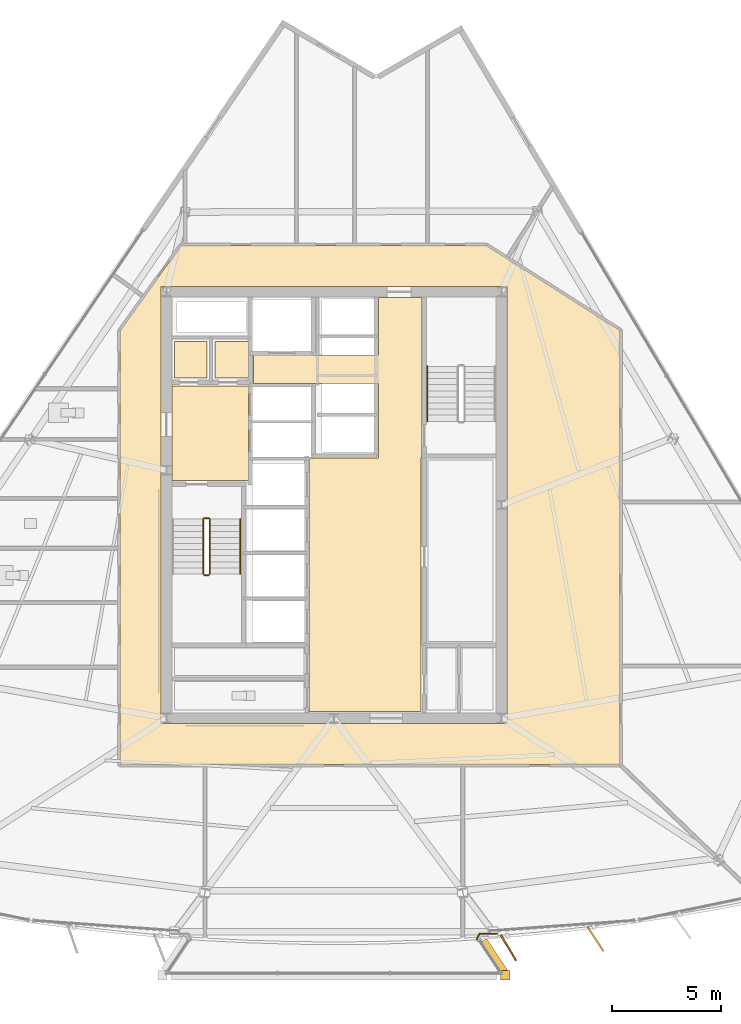
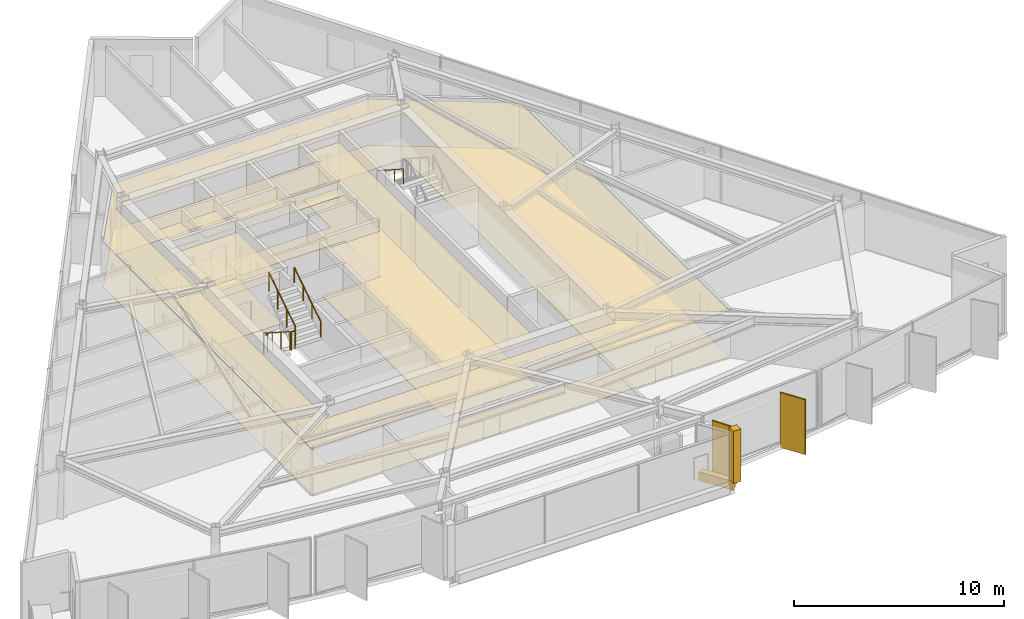
# One storey, part 13 of 16: 12 coverings, 7 railings, 2 shading devices.
"""IFC4 building model written with IfcOpenShell, lengths in metres."""

from ifc_helpers import new_model, si_unit, direction, frame, origin, origin_2d, place, context, subcontext, project, spatial, polyline, rectangle, circle, outline, extrude, material, layer, layer_set, type_object, element, save


model = new_model("IFC4")

# Units and contexts
model_context = context("Model", 3, precision=1e-05, world=origin(), true_north=direction((0.0, 1.0)))
body_context = subcontext(model_context, "Body", "Model", "MODEL_VIEW")
ifc_project = project(units=[si_unit("LENGTHUNIT", "METRE"), si_unit("AREAUNIT", "SQUARE_METRE"), si_unit("VOLUMEUNIT", "CUBIC_METRE"), si_unit("PLANEANGLEUNIT", "RADIAN"), si_unit("MASSUNIT", "GRAM", prefix="KILO")], contexts=[model_context])

# Site, building, storey
site_placement = place(None, origin())
site = spatial("IfcSite", under=ifc_project, at=site_placement, CompositionType="ELEMENT")
building_placement = place(site_placement, origin())
building = spatial("IfcBuilding", under=site, at=building_placement, Name="Savorim Split Tower", CompositionType="ELEMENT")
storey_placement = place(building_placement, frame((0.0, 0.0, 160.199951171875)))
storey = spatial("IfcBuildingStorey", under=building, at=storey_placement, Name="L42", CompositionType="ELEMENT", Elevation=160.199951171875)

# Coverings
ifc_material_1 = material(Name="Mineral Fibre Acoustic Ceiling")
ifc_layer_1 = layer(ifc_material_1, 0.02490234375)
ifc_layer_set_1 = layer_set([ifc_layer_1], Name="COV-CEIL-25")
covering_type_1 = type_object("IfcCoveringType", Name="COV-CEIL-25", PredefinedType="CEILING", material=ifc_layer_set_1)
covering_1_placement = place(storey_placement, frame((0.0, 0.0, 2.670166015625)))
element("IfcCovering", 1, at=covering_1_placement, inside=storey, type_object=covering_type_1, Name="L42 Firefighting Lift Lobby Acoustic Ceiling", PredefinedType="CEILING", context=body_context, shape_type="SweptSolid", body=[
    extrude(outline(polyline([(-7.429931640625, 5.8701171875), (-7.429931640625, 1.530029296875), (-3.929931640625, 1.530029296875), (-3.929931640625, 5.8701171875), (-7.429931640625, 5.8701171875)])), origin(), (0.0, 0.0, 1.0), 0.02490234375),
])
covering_2_placement = place(storey_placement, frame((0.0, 0.0, 2.670166015625)))
element("IfcCovering", 2, at=covering_2_placement, inside=storey, type_object=covering_type_1, Name="L42 Electrical Riser Acoustic Ceiling", PredefinedType="CEILING", context=body_context, shape_type="SweptSolid", body=[
    extrude(outline(polyline([(-7.320068359375, 7.919921875), (-7.320068359375, 6.22998046875), (-5.830078125, 6.22998046875), (-5.830078125, 7.919921875), (-7.320068359375, 7.919921875)])), origin(), (0.0, 0.0, 1.0), 0.02490234375),
])
covering_3_placement = place(storey_placement, frame((0.0, 0.0, 2.670166015625)))
element("IfcCovering", 3, at=covering_3_placement, inside=storey, type_object=covering_type_1, Name="L42 Telecom Riser Acoustic Ceiling", PredefinedType="CEILING", context=body_context, shape_type="SweptSolid", body=[
    extrude(outline(polyline([(-5.469970703125, 7.919921875), (-5.469970703125, 6.22998046875), (-3.929931640625, 6.22998046875), (-3.929931640625, 7.919921875), (-5.469970703125, 7.919921875)])), origin(), (0.0, 0.0, 1.0), 0.02490234375),
])
covering_4_placement = place(storey_placement, frame((0.0, 0.0, 2.670166015625)))
element("IfcCovering", 4, at=covering_4_placement, inside=storey, type_object=covering_type_1, Name="L42 Lift Lobby Acoustic Ceiling", PredefinedType="CEILING", context=body_context, shape_type="SweptSolid", body=[
    extrude(outline(polyline([(2.050048828125, 2.550048828125), (-1.14990234375, 2.550048828125), (-1.14990234375, -9.10009765625), (4.0, -9.10009765625), (4.0, 2.550048828125), (4.050048828125, 2.550048828125), (4.050048828125, 5.97998046875), (4.050048828125, 7.300048828125), (4.050048828125, 9.929931640625), (2.050048828125, 9.929931640625), (2.050048828125, 7.300048828125), (-3.699951171875, 7.300048828125), (-3.699951171875, 5.97998046875), (2.050048828125, 5.97998046875), (2.050048828125, 2.550048828125)])), origin(), (0.0, 0.0, 1.0), 0.02490234375),
])
covering_5_placement = place(storey_placement, frame((0.0, 0.0, 2.670166015625)))
element("IfcCovering", 5, at=covering_5_placement, inside=storey, type_object=covering_type_1, Name="L42 Corridor Acoustic Ceiling", PredefinedType="CEILING", context=body_context, shape_type="SweptSolid", body=[
    extrude(outline(polyline([(7.009521484375, 12.3291015625), (7.004638671875, 12.329833984375), (7.0, 12.330078125), (-7.0, 12.330078125), (-7.004638671875, 12.329833984375), (-7.009521484375, 12.3291015625), (-7.013916015625, 12.327880859375), (-7.0185546875, 12.326416015625), (-7.022705078125, 12.324462890625), (-7.027099609375, 12.322021484375), (-7.03076171875, 12.3193359375), (-7.034423828125, 12.31640625), (-7.03759765625, 12.312744140625), (-7.04052734375, 12.30908203125), (-9.820556640625, 8.42919921875), (-9.823486328125, 8.4248046875), (-9.82568359375, 8.420166015625), (-9.82763671875, 8.415283203125), (-9.828857421875, 8.410400390625), (-9.82958984375, 8.4052734375), (-9.830078125, 8.39990234375), (-9.830078125, -11.47998046875), (-9.829833984375, -11.48486328125), (-9.8291015625, -11.48974609375), (-9.827880859375, -11.494384765625), (-9.826171875, -11.4990234375), (-9.82421875, -11.503662109375), (-9.821533203125, -11.5078125), (-9.818603515625, -11.51171875), (-9.8154296875, -11.515380859375), (-9.811767578125, -11.518798828125), (-9.807861328125, -11.521484375), (-9.8037109375, -11.524169921875), (-9.799072265625, -11.526123046875), (-9.79443359375, -11.52783203125), (-9.789794921875, -11.529052734375), (-9.784912109375, -11.52978515625), (-9.780029296875, -11.530029296875), (13.10009765625, -11.530029296875), (13.10498046875, -11.52978515625), (13.10986328125, -11.529052734375), (13.114501953125, -11.52783203125), (13.119140625, -11.526123046875), (13.12353515625, -11.524169921875), (13.127685546875, -11.521484375), (13.131591796875, -11.518798828125), (13.135498046875, -11.515380859375), (13.138671875, -11.51171875), (13.1416015625, -11.5078125), (13.14404296875, -11.503662109375), (13.146240234375, -11.4990234375), (13.147705078125, -11.494384765625), (13.14892578125, -11.48974609375), (13.14990234375, -11.48486328125), (13.14990234375, -11.47998046875), (13.14990234375, 8.39990234375), (13.149658203125, 8.405029296875), (13.14892578125, 8.409912109375), (13.147705078125, 8.414794921875), (13.14599609375, 8.41943359375), (13.143798828125, 8.424072265625), (13.14111328125, 8.42822265625), (13.13818359375, 8.432373046875), (13.134765625, 8.43603515625), (13.130859375, 8.439208984375), (13.126708984375, 8.442138671875), (7.02685546875, 12.322265625), (7.022705078125, 12.324462890625), (7.018310546875, 12.326416015625), (7.013916015625, 12.327880859375), (7.009521484375, 12.3291015625)]), holes=[polyline([(-7.949951171875, 10.449951171875), (-7.949951171875, -9.64990234375), (7.949951171875, -9.64990234375), (7.949951171875, 10.449951171875), (-7.949951171875, 10.449951171875)])]), origin(), (0.0, 0.0, 1.0), 0.02490234375),
])
ifc_material_2 = material(Name="Porcelain Stoneware Flooring", Category="masonry")
ifc_layer_2 = layer(ifc_material_2, 0.02001953125)
ifc_layer_set_2 = layer_set([ifc_layer_2], Name="COV-FLOR-20")
covering_type_2 = type_object("IfcCoveringType", Name="COV-FLOR-20", PredefinedType="FLOORING", material=ifc_layer_set_2)
covering_6_placement = place(storey_placement, origin())
element("IfcCovering", 6, at=covering_6_placement, inside=storey, type_object=covering_type_2, Name="L42 Firefighting Lift Lobby Porcelain Flooring", PredefinedType="FLOORING", context=body_context, shape_type="SweptSolid", body=[
    extrude(outline(polyline([(-7.429931640625, 5.8701171875), (-7.429931640625, 1.530029296875), (-3.929931640625, 1.530029296875), (-3.929931640625, 5.8701171875), (-7.429931640625, 5.8701171875)])), origin(), (0.0, 0.0, 1.0), 0.02001953125),
])
covering_7_placement = place(storey_placement, origin())
element("IfcCovering", 7, at=covering_7_placement, inside=storey, type_object=covering_type_2, Name="L42 Electrical Riser Porcelain Flooring", PredefinedType="FLOORING", context=body_context, shape_type="SweptSolid", body=[
    extrude(outline(polyline([(-7.320068359375, 7.919921875), (-7.320068359375, 6.22998046875), (-5.830078125, 6.22998046875), (-5.830078125, 7.919921875), (-7.320068359375, 7.919921875)])), origin(), (0.0, 0.0, 1.0), 0.02001953125),
])
covering_8_placement = place(storey_placement, origin())
element("IfcCovering", 8, at=covering_8_placement, inside=storey, type_object=covering_type_2, Name="L42 Telecom Riser Porcelain Flooring", PredefinedType="FLOORING", context=body_context, shape_type="SweptSolid", body=[
    extrude(outline(polyline([(-5.469970703125, 7.919921875), (-5.469970703125, 6.22998046875), (-3.929931640625, 6.22998046875), (-3.929931640625, 7.919921875), (-5.469970703125, 7.919921875)])), origin(), (0.0, 0.0, 1.0), 0.02001953125),
])
covering_9_placement = place(storey_placement, origin())
element("IfcCovering", 9, at=covering_9_placement, inside=storey, type_object=covering_type_2, Name="L42 Lift Lobby Porcelain Flooring", PredefinedType="FLOORING", context=body_context, shape_type="SweptSolid", body=[
    extrude(outline(polyline([(2.050048828125, 2.550048828125), (-1.14990234375, 2.550048828125), (-1.14990234375, -9.10009765625), (4.0, -9.10009765625), (4.0, 2.550048828125), (4.050048828125, 2.550048828125), (4.050048828125, 5.97998046875), (4.050048828125, 7.300048828125), (4.050048828125, 9.929931640625), (2.050048828125, 9.929931640625), (2.050048828125, 7.300048828125), (-3.699951171875, 7.300048828125), (-3.699951171875, 5.97998046875), (2.050048828125, 5.97998046875), (2.050048828125, 2.550048828125)])), origin(), (0.0, 0.0, 1.0), 0.02001953125),
])
covering_10_placement = place(storey_placement, origin())
element("IfcCovering", 10, at=covering_10_placement, inside=storey, type_object=covering_type_2, Name="L42 Corridor Porcelain Flooring", PredefinedType="FLOORING", context=body_context, shape_type="SweptSolid", body=[
    extrude(outline(polyline([(7.009521484375, 12.3291015625), (7.004638671875, 12.329833984375), (7.0, 12.330078125), (-7.0, 12.330078125), (-7.004638671875, 12.329833984375), (-7.009521484375, 12.3291015625), (-7.013916015625, 12.327880859375), (-7.0185546875, 12.326416015625), (-7.022705078125, 12.324462890625), (-7.027099609375, 12.322021484375), (-7.03076171875, 12.3193359375), (-7.034423828125, 12.31640625), (-7.03759765625, 12.312744140625), (-7.04052734375, 12.30908203125), (-9.820556640625, 8.42919921875), (-9.823486328125, 8.4248046875), (-9.82568359375, 8.420166015625), (-9.82763671875, 8.415283203125), (-9.828857421875, 8.410400390625), (-9.82958984375, 8.4052734375), (-9.830078125, 8.39990234375), (-9.830078125, -11.47998046875), (-9.829833984375, -11.48486328125), (-9.8291015625, -11.48974609375), (-9.827880859375, -11.494384765625), (-9.826171875, -11.4990234375), (-9.82421875, -11.503662109375), (-9.821533203125, -11.5078125), (-9.818603515625, -11.51171875), (-9.8154296875, -11.515380859375), (-9.811767578125, -11.518798828125), (-9.807861328125, -11.521484375), (-9.8037109375, -11.524169921875), (-9.799072265625, -11.526123046875), (-9.79443359375, -11.52783203125), (-9.789794921875, -11.529052734375), (-9.784912109375, -11.52978515625), (-9.780029296875, -11.530029296875), (13.10009765625, -11.530029296875), (13.10498046875, -11.52978515625), (13.10986328125, -11.529052734375), (13.114501953125, -11.52783203125), (13.119140625, -11.526123046875), (13.12353515625, -11.524169921875), (13.127685546875, -11.521484375), (13.131591796875, -11.518798828125), (13.135498046875, -11.515380859375), (13.138671875, -11.51171875), (13.1416015625, -11.5078125), (13.14404296875, -11.503662109375), (13.146240234375, -11.4990234375), (13.147705078125, -11.494384765625), (13.14892578125, -11.48974609375), (13.14990234375, -11.48486328125), (13.14990234375, -11.47998046875), (13.14990234375, 8.39990234375), (13.149658203125, 8.405029296875), (13.14892578125, 8.409912109375), (13.147705078125, 8.414794921875), (13.14599609375, 8.41943359375), (13.143798828125, 8.424072265625), (13.14111328125, 8.42822265625), (13.13818359375, 8.432373046875), (13.134765625, 8.43603515625), (13.130859375, 8.439208984375), (13.126708984375, 8.442138671875), (7.02685546875, 12.322265625), (7.022705078125, 12.324462890625), (7.018310546875, 12.326416015625), (7.013916015625, 12.327880859375), (7.009521484375, 12.3291015625)]), holes=[polyline([(-7.949951171875, 10.449951171875), (-7.949951171875, -9.64990234375), (7.949951171875, -9.64990234375), (7.949951171875, 10.449951171875), (-7.949951171875, 10.449951171875)])]), origin(), (0.0, 0.0, 1.0), 0.02001953125),
])
ifc_material_3 = material(Name="White Porcelain Architectural Cladding")
ifc_layer_3 = layer(ifc_material_3, 0.139892578125)
ifc_layer_set_3 = layer_set([ifc_layer_3], Name="COV-FRM-WHITE")
covering_type_3 = type_object("IfcCoveringType", Name="COV-FRM-WHITE", PredefinedType="CLADDING", material=ifc_layer_set_3)
covering_11_placement = place(storey_placement, frame((0.0, 0.0, 0.010009765625)))
element("IfcCovering", 11, at=covering_11_placement, inside=storey, type_object=covering_type_3, Name="L42 Cantilevered Lounge White Lower Frame Band E", PredefinedType="CLADDING", context=body_context, shape_type="SweptSolid", body=[
    extrude(outline(polyline([(8.01171875, -21.020263671875), (7.01318359375, -19.522705078125), (6.73046875, -19.711181640625), (7.72900390625, -21.208984375), (8.01171875, -21.020263671875)])), origin(), (0.0, 0.0, 1.0), 0.510009765625),
])
covering_12_placement = place(storey_placement, frame((0.0, 0.0, 0.5400390625)))
element("IfcCovering", 12, at=covering_12_placement, inside=storey, type_object=covering_type_3, Name="L42 Cantilevered Lounge White Frame Corner Post 2", PredefinedType="CLADDING", context=body_context, shape_type="SweptSolid", body=[
    extrude(outline(polyline([(7.6630859375, -21.4189453125), (8.0830078125, -21.4189453125), (8.0830078125, -20.998779296875), (7.6630859375, -20.998779296875), (7.6630859375, -21.4189453125)])), origin(), (0.0, 0.0, 1.0), 3.050048828125),
])

# Railings
ifc_material_4 = material(Name="Galvanised Painted Steel Balustrade", Category="steel")
railing_type_1 = type_object("IfcRailingType", Name="RLG-BAL-1100", PredefinedType="BALUSTRADE", material=ifc_material_4)
railing_1_placement = place(storey_placement, frame((6.558349609375, -19.56689453125, 0.0)))
element("IfcRailing", 13, at=railing_1_placement, inside=storey, type_object=railing_type_1, Name="L42 Cantilevered Lounge East Edge Closure Guard", PredefinedType="BALUSTRADE", context=body_context, shape_type="SweptSolid", body=[
    extrude(circle(Radius=0.02392578125, at=origin_2d()), frame((0.0, 0.0, 1.076171875), z_axis=(0.45423723054, 0.89088076553, 0.0), x_axis=(-0.89088076553, 0.45423723054, 0.0)), (0.0, 0.0, 1.0), 0.30517578125),
    extrude(circle(Radius=0.02392578125, at=origin_2d()), frame((0.138671875, 0.27197265625, 1.076171875), z_axis=(1.0, 0.0, 0.0), x_axis=(0.0, 1.0, 0.0)), (0.0, 0.0, 1.0), 0.780029296875),
    extrude(circle(Radius=0.02099609375, at=origin_2d()), origin(), (0.0, 0.0, 1.0), 1.052001953125),
    extrude(circle(Radius=0.02099609375, at=origin_2d()), frame((0.138671875, 0.27197265625, 0.0)), (0.0, 0.0, 1.0), 1.052001953125),
    extrude(circle(Radius=0.02099609375, at=origin_2d()), frame((0.918701171875, 0.27197265625, 0.0)), (0.0, 0.0, 1.0), 1.052001953125),
])
railing_type_2 = type_object("IfcRailingType", Name="RLG-HR-900", PredefinedType="HANDRAIL", material=ifc_material_4)
railing_2_placement = place(storey_placement, frame((-4.300048828125, -2.77001953125, 1.97998046875)))
element("IfcRailing", 14, at=railing_2_placement, inside=storey, type_object=railing_type_2, Name="L42 ST-1 stair handrail 2", PredefinedType="HANDRAIL", context=body_context, shape_type="SweptSolid", body=[
    extrude(circle(Radius=0.02392578125, at=origin_2d()), frame((0.0, 0.0, 0.8759765625), z_axis=(0.0, 0.841162588446, 0.540782303519), x_axis=(-1.0, 0.0, 0.0)), (0.0, 0.0, 1.0), 2.995849609375),
    extrude(circle(Radius=0.02099609375, at=origin_2d()), origin(), (0.0, 0.0, 1.0), 0.851806640625),
    extrude(circle(Radius=0.02099609375, at=origin_2d()), frame((0.0, 0.840087890625, 0.5400390625)), (0.0, 0.0, 1.0), 0.851806640625),
    extrude(circle(Radius=0.02099609375, at=origin_2d()), frame((0.0, 1.679931640625, 1.080078125)), (0.0, 0.0, 1.0), 0.851806640625),
    extrude(circle(Radius=0.02099609375, at=origin_2d()), frame((0.0, 2.52001953125, 1.6201171875)), (0.0, 0.0, 1.0), 0.851806640625),
])
railing_3_placement = place(storey_placement, frame((4.300048828125, 6.77001953125, 1.97998046875)))
element("IfcRailing", 15, at=railing_3_placement, inside=storey, type_object=railing_type_2, Name="L42 ST-2 stair handrail 2", PredefinedType="HANDRAIL", context=body_context, shape_type="SweptSolid", body=[
    extrude(circle(Radius=0.02392578125, at=origin_2d()), frame((0.0, 0.0, 0.8759765625), z_axis=(0.0, -0.841162588446, 0.540782303519), x_axis=(1.0, 0.0, 0.0)), (0.0, 0.0, 1.0), 2.995849609375),
    extrude(circle(Radius=0.02099609375, at=origin_2d()), origin(), (0.0, 0.0, 1.0), 0.851806640625),
    extrude(circle(Radius=0.02099609375, at=origin_2d()), frame((0.0, -0.840087890625, 0.5400390625)), (0.0, 0.0, 1.0), 0.851806640625),
    extrude(circle(Radius=0.02099609375, at=origin_2d()), frame((0.0, -1.679931640625, 1.080078125)), (0.0, 0.0, 1.0), 0.851806640625),
    extrude(circle(Radius=0.02099609375, at=origin_2d()), frame((0.0, -2.52001953125, 1.6201171875)), (0.0, 0.0, 1.0), 0.851806640625),
])
railing_type_3 = type_object("IfcRailingType", Name="RLG-STG-1100", PredefinedType="BALUSTRADE", material=ifc_material_4)
railing_4_placement = place(storey_placement, frame((-6.0, -0.25, 0.179931640625)))
element("IfcRailing", 16, at=railing_4_placement, inside=storey, type_object=railing_type_3, Name="L42 ST-1 stair guard 1", PredefinedType="BALUSTRADE", context=body_context, shape_type="SweptSolid", body=[
    extrude(circle(Radius=0.02392578125, at=origin_2d()), frame((0.0, 0.0, 1.076171875), z_axis=(0.0, -0.841162588446, 0.540782303519), x_axis=(1.0, 0.0, 0.0)), (0.0, 0.0, 1.0), 2.995849609375),
    extrude(circle(Radius=0.02099609375, at=origin_2d()), origin(), (0.0, 0.0, 1.0), 1.052001953125),
    extrude(circle(Radius=0.02099609375, at=origin_2d()), frame((0.0, -0.840087890625, 0.5400390625)), (0.0, 0.0, 1.0), 1.052001953125),
    extrude(circle(Radius=0.02099609375, at=origin_2d()), frame((0.0, -1.679931640625, 1.080078125)), (0.0, 0.0, 1.0), 1.052001953125),
    extrude(circle(Radius=0.02099609375, at=origin_2d()), frame((0.0, -2.52001953125, 1.6201171875)), (0.0, 0.0, 1.0), 1.052001953125),
])
railing_5_placement = place(storey_placement, frame((-5.949951171875, -2.820068359375, 1.800048828125)))
element("IfcRailing", 17, at=railing_5_placement, inside=storey, type_object=railing_type_3, Name="L42 ST-1 stair guard 2", PredefinedType="BALUSTRADE", context=body_context, shape_type="SweptSolid", body=[
    extrude(circle(Radius=0.02392578125, at=origin_2d()), frame((0.0, 0.0, 1.076171875), z_axis=(1.0, 0.0, 0.0), x_axis=(0.0, 1.0, 0.0)), (0.0, 0.0, 1.0), 0.199951171875),
    extrude(circle(Radius=0.02099609375, at=origin_2d()), origin(), (0.0, 0.0, 1.0), 1.052001953125),
    extrude(circle(Radius=0.02099609375, at=origin_2d()), frame((0.199951171875, 0.0, 0.0)), (0.0, 0.0, 1.0), 1.052001953125),
])
railing_6_placement = place(storey_placement, frame((-5.699951171875, -2.77001953125, 1.97998046875)))
element("IfcRailing", 18, at=railing_6_placement, inside=storey, type_object=railing_type_3, Name="L42 ST-1 stair guard 3", PredefinedType="BALUSTRADE", context=body_context, shape_type="SweptSolid", body=[
    extrude(circle(Radius=0.02392578125, at=origin_2d()), frame((0.0, 0.0, 1.076171875), z_axis=(0.0, 0.841162588446, 0.540782303519), x_axis=(-1.0, 0.0, 0.0)), (0.0, 0.0, 1.0), 2.995849609375),
    extrude(circle(Radius=0.02099609375, at=origin_2d()), origin(), (0.0, 0.0, 1.0), 1.052001953125),
    extrude(circle(Radius=0.02099609375, at=origin_2d()), frame((0.0, 0.840087890625, 0.5400390625)), (0.0, 0.0, 1.0), 1.052001953125),
    extrude(circle(Radius=0.02099609375, at=origin_2d()), frame((0.0, 1.679931640625, 1.080078125)), (0.0, 0.0, 1.0), 1.052001953125),
    extrude(circle(Radius=0.02099609375, at=origin_2d()), frame((0.0, 2.52001953125, 1.6201171875)), (0.0, 0.0, 1.0), 1.052001953125),
])
railing_7_placement = place(storey_placement, frame((-5.949951171875, -0.199951171875, 0.0)))
element("IfcRailing", 19, at=railing_7_placement, inside=storey, type_object=railing_type_3, Name="L42 ST-1 stair guard 4", PredefinedType="BALUSTRADE", context=body_context, shape_type="SweptSolid", body=[
    extrude(circle(Radius=0.02392578125, at=origin_2d()), frame((0.0, 0.0, 1.076171875), z_axis=(1.0, 0.0, 0.0), x_axis=(0.0, 1.0, 0.0)), (0.0, 0.0, 1.0), 0.199951171875),
    extrude(circle(Radius=0.02099609375, at=origin_2d()), origin(), (0.0, 0.0, 1.0), 1.052001953125),
    extrude(circle(Radius=0.02099609375, at=origin_2d()), frame((0.199951171875, 0.0, 0.0)), (0.0, 0.0, 1.0), 1.052001953125),
])

# Shading devices
ifc_material_5 = material(Name="Terracotta Ceramic-Coated Aluminium Fin", Category="masonry")
shading_device_type = type_object("IfcShadingDeviceType", Name="SHD-FIN-1360", PredefinedType="USERDEFINED", material=ifc_material_5)
for number, where, z_axis, x_axis, name in (
    (20, (8.0234375, -19.948974609375, -0.19970703125), (0.0, 0.0, 1.0), (0.510391336723, -0.859942255851, 0.0), "L42 Sawtooth Shading Fin 09"),
    (21, (12.0185546875, -19.538818359375, -0.19970703125), (0.0, 0.0, 1.0), (0.545148321708, -0.838339613366, 0.0), "L42 Sawtooth Shading Fin 10"),
):
    element("IfcShadingDevice", number, at=place(storey_placement, frame(where, z_axis=z_axis, x_axis=x_axis)), inside=storey, type_object=shading_device_type, Name=name, ObjectType="FIN", PredefinedType="USERDEFINED", context=body_context, shape_type="SweptSolid", body=[
        extrude(rectangle(XDim=1.360107421875, YDim=0.080078125, at=origin_2d()), origin(), (0.0, 0.0, 1.0), 3.199951171875),
    ])

save(model, "model.ifc")
